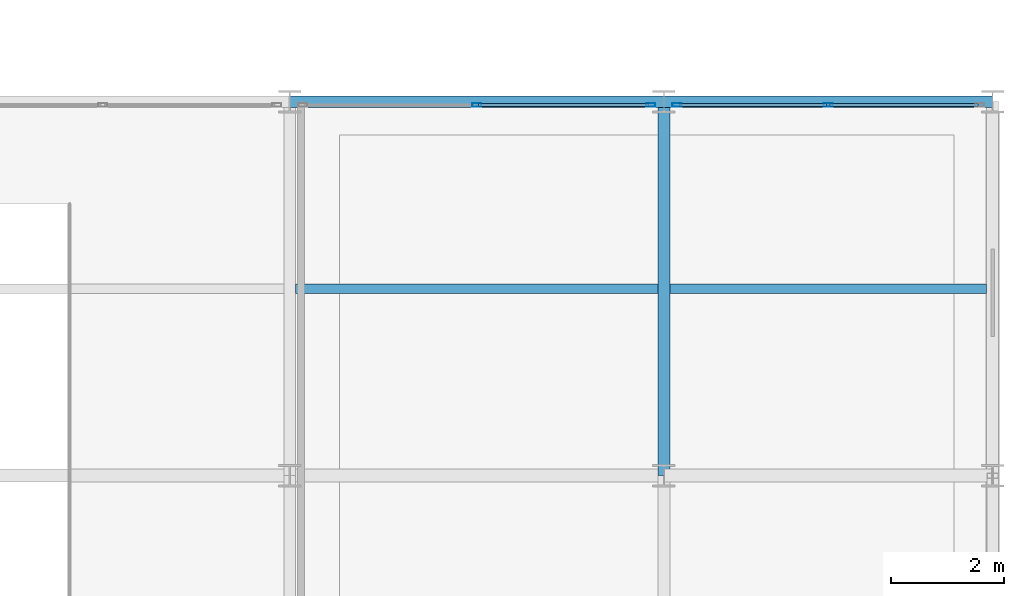
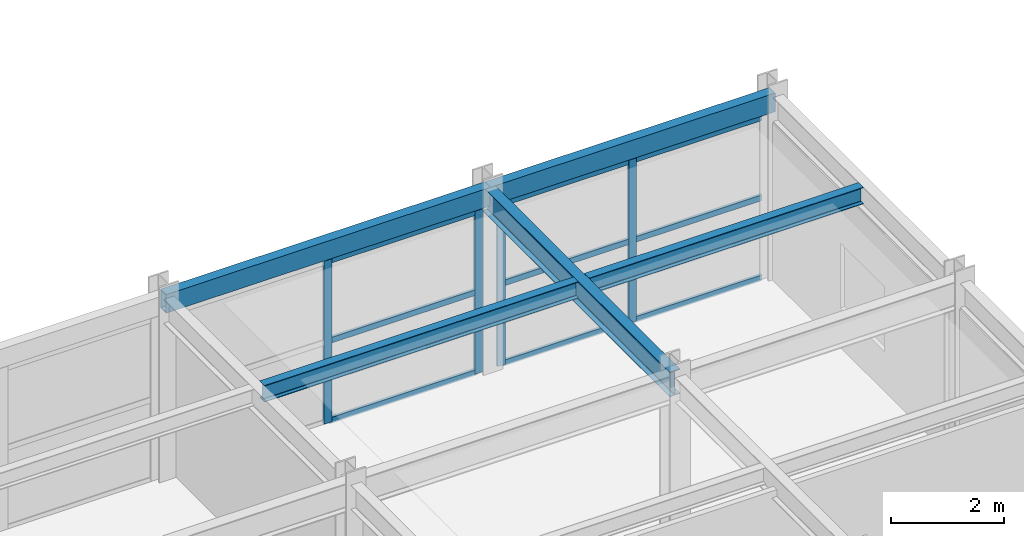
# One storey, part 94 of 147: 13 members, 5 beams, 2 elements without a shape of their own.
"""IFC4 building model written with IfcOpenShell, lengths in metres."""

from ifc_helpers import new_model, si_unit, direction, frame, origin, origin_2d, place, context, subcontext, project, spatial, hollow_rectangle, i_section, extrude, material, material_profile, profile_set, type_object, element, aggregate, save


model = new_model("IFC4")

# Units and contexts
model_context = context("Model", 3, precision=1e-05, world=origin(), true_north=direction((0.0, 1.0)))
body_context = subcontext(model_context, "Body", "Model", "MODEL_VIEW")
ifc_project = project(units=[si_unit("LENGTHUNIT", "METRE"), si_unit("AREAUNIT", "SQUARE_METRE"), si_unit("VOLUMEUNIT", "CUBIC_METRE"), si_unit("PLANEANGLEUNIT", "RADIAN"), si_unit("MASSUNIT", "GRAM", prefix="KILO")], contexts=[model_context])

# Site, building, storey
site_placement = place(None, origin())
site = spatial("IfcSite", under=ifc_project, at=site_placement, CompositionType="ELEMENT")
building_placement = place(site_placement, origin())
building = spatial("IfcBuilding", under=site, at=building_placement, Name="Karori Crest Natural Sciences Institute", CompositionType="ELEMENT")
storey_placement = place(building_placement, frame((0.0, 0.0, 9.10009765625)))
storey = spatial("IfcBuildingStorey", under=building, at=storey_placement, Name="L02", CompositionType="ELEMENT", Elevation=9.10009765625)

# Beams
ifc_material_1 = material(Name="Structural steel AS/NZS 3679.1 Grade 350", Category="steel")
ifc_material_profile_1 = material_profile(ifc_material_1, i_section(OverallWidth=0.208984375, OverallDepth=0.532958984375, WebThickness=0.01025390625, FlangeThickness=0.015625, FilletRadius=0.013916015625, at=origin_2d()), Name="530UB92.4")
ifc_profile_set_1 = profile_set([ifc_material_profile_1], Name="Structural steel AS/NZS 3679.1 Grade 350")
beam_type_1 = type_object("IfcBeamType", Name="BT-05", PredefinedType="BEAM", material=ifc_profile_set_1)
beam_1_placement = place(storey_placement, frame((156.39990234375, 14.0, 3.6533203125), z_axis=(0.0, 1.0, 0.0), x_axis=(-1.0, 0.0, 0.0)))
element("IfcBeam", 1, at=beam_1_placement, inside=storey, type_object=beam_type_1, Name="Beam B-2255", PredefinedType="BEAM", context=body_context, shape_type="SweptSolid", body=[
    extrude(i_section(OverallWidth=0.208984375, OverallDepth=0.532958984375, WebThickness=0.01025390625, FlangeThickness=0.015625, FilletRadius=0.013916015625, at=origin_2d()), origin(), (0.0, 0.0, 1.0), 6.60009765625),
])
ifc_material_profile_2 = material_profile(ifc_material_1, i_section(OverallWidth=0.172119140625, OverallDepth=0.35888671875, WebThickness=0.008056640625, FlangeThickness=0.012939453125, FilletRadius=0.010986328125, at=origin_2d()), Name="360UB56.7")
ifc_profile_set_2 = profile_set([ifc_material_profile_2], Name="Structural steel AS/NZS 3679.1 Grade 350")
beam_type_2 = type_object("IfcBeamType", Name="BT-08", PredefinedType="BEAM", material=ifc_profile_set_2)
beam_2_placement = place(storey_placement, frame((149.904541015625, 17.300048828125, 3.740478515625), z_axis=(1.0, 0.0, 0.0), x_axis=(0.0, 1.0, 0.0)))
element("IfcBeam", 2, at=beam_2_placement, inside=storey, type_object=beam_type_2, Name="Beam B-2278", PredefinedType="BEAM", context=body_context, shape_type="SweptSolid", body=[
    extrude(i_section(OverallWidth=0.172119140625, OverallDepth=0.35888671875, WebThickness=0.008056640625, FlangeThickness=0.012939453125, FilletRadius=0.010986328125, at=origin_2d()), origin(), (0.0, 0.0, 1.0), 6.390869140625),
])
beam_3_placement = place(storey_placement, frame((156.50439453125, 17.300048828125, 3.740478515625), z_axis=(1.0, 0.0, 0.0), x_axis=(0.0, 1.0, 0.0)))
element("IfcBeam", 3, at=beam_3_placement, inside=storey, type_object=beam_type_2, Name="Beam B-2281", PredefinedType="BEAM", context=body_context, shape_type="SweptSolid", body=[
    extrude(i_section(OverallWidth=0.172119140625, OverallDepth=0.35888671875, WebThickness=0.008056640625, FlangeThickness=0.012939453125, FilletRadius=0.010986328125, at=origin_2d()), origin(), (0.0, 0.0, 1.0), 5.591064453125),
])
ifc_material_2 = material(Name="Hollow structural steel AS/NZS 1163 Grade C350", Category="steel")
ifc_material_profile_3 = material_profile(ifc_material_2, hollow_rectangle(XDim=0.199951171875, YDim=0.39990234375, WallThickness=0.012451171875, at=origin_2d()), Name="RHS400x200x12.5")
ifc_profile_set_3 = profile_set([ifc_material_profile_3], Name="Hollow structural steel AS/NZS 1163 Grade C350")
beam_type_3 = type_object("IfcBeamType", Name="BT-14", PredefinedType="SPANDREL", material=ifc_profile_set_3)
beam_4_placement = place(storey_placement, frame((149.800048828125, 20.60009765625, 3.719970703125), z_axis=(1.0, 0.0, 0.0), x_axis=(0.0, 1.0, 0.0)))
element("IfcBeam", 4, at=beam_4_placement, inside=storey, type_object=beam_type_3, Name="Beam B-2227", PredefinedType="SPANDREL", context=body_context, shape_type="SweptSolid", body=[
    extrude(hollow_rectangle(XDim=0.199951171875, YDim=0.39990234375, WallThickness=0.012451171875, at=origin_2d()), origin(), (0.0, 0.0, 1.0), 6.599853515625),
])
beam_5_placement = place(storey_placement, frame((156.39990234375, 20.60009765625, 3.719970703125), z_axis=(1.0, 0.0, 0.0), x_axis=(0.0, 1.0, 0.0)))
element("IfcBeam", 5, at=beam_5_placement, inside=storey, type_object=beam_type_3, Name="Beam B-2228", PredefinedType="SPANDREL", context=body_context, shape_type="SweptSolid", body=[
    extrude(hollow_rectangle(XDim=0.199951171875, YDim=0.39990234375, WallThickness=0.012451171875, at=origin_2d()), origin(), (0.0, 0.0, 1.0), 5.800048828125),
])

# Curtain wall, members
ifc_material_3 = material(Name="Anodised architectural aluminium 6063-T6", Category="aluminium")
curtain_wall_type = type_object("IfcCurtainWallType", Name="CWT-20", PredefinedType="NOTDEFINED", material=ifc_material_3)
curtain_wall_1_placement = place(storey_placement, origin())
curtain_wall_1 = element("IfcCurtainWall", 6, at=curtain_wall_1_placement, inside=storey, type_object=curtain_wall_type, Name="Curtain wall CW-0320", PredefinedType="NOTDEFINED")
ifc_material_profile_4 = material_profile(ifc_material_3, hollow_rectangle(XDim=0.06494140625, YDim=0.159912109375, WallThickness=0.00390625, at=origin_2d()), Name="CWM160x65x4")
ifc_profile_set_4 = profile_set([ifc_material_profile_4], Name="Anodised architectural aluminium 6063-T6")
member_type_1 = type_object("IfcMemberType", Name="CWM-01", PredefinedType="MULLION", material=ifc_profile_set_4)
member_1_placement = place(storey_placement, frame((153.10009765625, 20.5400390625, 0.0), z_axis=(0.0, 0.0, 1.0), x_axis=(0.0, 1.0, 0.0)))
member_1 = element("IfcMember", 7, at=member_1_placement, type_object=member_type_1, Name="CW-0320 mullion 2", PredefinedType="MULLION", context=body_context, shape_type="SweptSolid", body=[
    extrude(hollow_rectangle(XDim=0.06494140625, YDim=0.159912109375, WallThickness=0.00390625, at=origin_2d()), origin(), (0.0, 0.0, 1.0), 3.5048828125),
])
member_2_placement = place(storey_placement, frame((156.16943359375, 20.5400390625, 0.0), z_axis=(0.0, 0.0, 1.0), x_axis=(0.0, 1.0, 0.0)))
member_2 = element("IfcMember", 8, at=member_2_placement, type_object=member_type_1, Name="CW-0320 mullion 3", PredefinedType="MULLION", context=body_context, shape_type="SweptSolid", body=[
    extrude(hollow_rectangle(XDim=0.06494140625, YDim=0.159912109375, WallThickness=0.00390625, at=origin_2d()), origin(), (0.0, 0.0, 1.0), 3.5048828125),
])

curtain_wall_2_placement = place(storey_placement, origin())
curtain_wall_2 = element("IfcCurtainWall", 9, at=curtain_wall_2_placement, inside=storey, type_object=curtain_wall_type, Name="Curtain wall CW-0321", PredefinedType="NOTDEFINED")
member_3_placement = place(storey_placement, frame((156.630615234375, 20.5400390625, 0.0), z_axis=(0.0, 0.0, 1.0), x_axis=(0.0, 1.0, 0.0)))
member_3 = element("IfcMember", 10, at=member_3_placement, type_object=member_type_1, Name="CW-0321 mullion 1", PredefinedType="MULLION", context=body_context, shape_type="SweptSolid", body=[
    extrude(hollow_rectangle(XDim=0.06494140625, YDim=0.159912109375, WallThickness=0.00390625, at=origin_2d()), origin(), (0.0, 0.0, 1.0), 3.5048828125),
])
member_4_placement = place(storey_placement, frame((159.300048828125, 20.5400390625, 0.0), z_axis=(0.0, 0.0, 1.0), x_axis=(0.0, 1.0, 0.0)))
member_4 = element("IfcMember", 11, at=member_4_placement, type_object=member_type_1, Name="CW-0321 mullion 2", PredefinedType="MULLION", context=body_context, shape_type="SweptSolid", body=[
    extrude(hollow_rectangle(XDim=0.06494140625, YDim=0.159912109375, WallThickness=0.00390625, at=origin_2d()), origin(), (0.0, 0.0, 1.0), 3.5048828125),
])

# Member
ifc_material_profile_5 = material_profile(ifc_material_3, hollow_rectangle(XDim=0.06005859375, YDim=0.1201171875, WallThickness=0.00390625, at=origin_2d()), Name="CWT120x60x4")
ifc_profile_set_5 = profile_set([ifc_material_profile_5], Name="Anodised architectural aluminium 6063-T6")
member_type_2 = type_object("IfcMemberType", Name="CWT-TR1", PredefinedType="USERDEFINED", material=ifc_profile_set_5)
member_5_placement = place(storey_placement, frame((153.132568359375, 20.5400390625, 0.02978515625), z_axis=(1.0, 0.0, 0.0), x_axis=(0.0, 1.0, 0.0)))
member_5 = element("IfcMember", 12, at=member_5_placement, type_object=member_type_2, Name="CW-0320 transom 2.1", ObjectType="TRANSOM", PredefinedType="USERDEFINED", context=body_context, shape_type="SweptSolid", body=[
    extrude(hollow_rectangle(XDim=0.06005859375, YDim=0.1201171875, WallThickness=0.00390625, at=origin_2d()), origin(), (0.0, 0.0, 1.0), 3.00439453125),
])

member_6_placement = place(storey_placement, frame((153.132568359375, 20.5400390625, 1.75244140625), z_axis=(1.0, 0.0, 0.0), x_axis=(0.0, 1.0, 0.0)))
member_6 = element("IfcMember", 13, at=member_6_placement, type_object=member_type_2, Name="CW-0320 transom 2.2", ObjectType="TRANSOM", PredefinedType="USERDEFINED", context=body_context, shape_type="SweptSolid", body=[
    extrude(hollow_rectangle(XDim=0.06005859375, YDim=0.1201171875, WallThickness=0.00390625, at=origin_2d()), origin(), (0.0, 0.0, 1.0), 3.00439453125),
])

member_7_placement = place(storey_placement, frame((153.132568359375, 20.5400390625, 3.474853515625), z_axis=(1.0, 0.0, 0.0), x_axis=(0.0, 1.0, 0.0)))
member_7 = element("IfcMember", 14, at=member_7_placement, type_object=member_type_2, Name="CW-0320 transom 2.3", ObjectType="TRANSOM", PredefinedType="USERDEFINED", context=body_context, shape_type="SweptSolid", body=[
    extrude(hollow_rectangle(XDim=0.06005859375, YDim=0.1201171875, WallThickness=0.00390625, at=origin_2d()), origin(), (0.0, 0.0, 1.0), 3.00439453125),
])

aggregate(curtain_wall_1, [member_1, member_2, member_5, member_6, member_7])

member_8_placement = place(storey_placement, frame((156.6630859375, 20.5400390625, 0.02978515625), z_axis=(1.0, 0.0, 0.0), x_axis=(0.0, 1.0, 0.0)))
member_8 = element("IfcMember", 15, at=member_8_placement, type_object=member_type_2, Name="CW-0321 transom 1.1", ObjectType="TRANSOM", PredefinedType="USERDEFINED", context=body_context, shape_type="SweptSolid", body=[
    extrude(hollow_rectangle(XDim=0.06005859375, YDim=0.1201171875, WallThickness=0.00390625, at=origin_2d()), origin(), (0.0, 0.0, 1.0), 2.6044921875),
])

member_9_placement = place(storey_placement, frame((156.6630859375, 20.5400390625, 1.75244140625), z_axis=(1.0, 0.0, 0.0), x_axis=(0.0, 1.0, 0.0)))
member_9 = element("IfcMember", 16, at=member_9_placement, type_object=member_type_2, Name="CW-0321 transom 1.2", ObjectType="TRANSOM", PredefinedType="USERDEFINED", context=body_context, shape_type="SweptSolid", body=[
    extrude(hollow_rectangle(XDim=0.06005859375, YDim=0.1201171875, WallThickness=0.00390625, at=origin_2d()), origin(), (0.0, 0.0, 1.0), 2.6044921875),
])

member_10_placement = place(storey_placement, frame((156.6630859375, 20.5400390625, 3.474853515625), z_axis=(1.0, 0.0, 0.0), x_axis=(0.0, 1.0, 0.0)))
member_10 = element("IfcMember", 17, at=member_10_placement, type_object=member_type_2, Name="CW-0321 transom 1.3", ObjectType="TRANSOM", PredefinedType="USERDEFINED", context=body_context, shape_type="SweptSolid", body=[
    extrude(hollow_rectangle(XDim=0.06005859375, YDim=0.1201171875, WallThickness=0.00390625, at=origin_2d()), origin(), (0.0, 0.0, 1.0), 2.6044921875),
])

member_11_placement = place(storey_placement, frame((159.33251953125, 20.5400390625, 0.02978515625), z_axis=(1.0, 0.0, 0.0), x_axis=(0.0, 1.0, 0.0)))
member_11 = element("IfcMember", 18, at=member_11_placement, type_object=member_type_2, Name="CW-0321 transom 2.1", ObjectType="TRANSOM", PredefinedType="USERDEFINED", context=body_context, shape_type="SweptSolid", body=[
    extrude(hollow_rectangle(XDim=0.06005859375, YDim=0.1201171875, WallThickness=0.00390625, at=origin_2d()), origin(), (0.0, 0.0, 1.0), 2.6044921875),
])

member_12_placement = place(storey_placement, frame((159.33251953125, 20.5400390625, 1.75244140625), z_axis=(1.0, 0.0, 0.0), x_axis=(0.0, 1.0, 0.0)))
member_12 = element("IfcMember", 19, at=member_12_placement, type_object=member_type_2, Name="CW-0321 transom 2.2", ObjectType="TRANSOM", PredefinedType="USERDEFINED", context=body_context, shape_type="SweptSolid", body=[
    extrude(hollow_rectangle(XDim=0.06005859375, YDim=0.1201171875, WallThickness=0.00390625, at=origin_2d()), origin(), (0.0, 0.0, 1.0), 2.6044921875),
])

member_13_placement = place(storey_placement, frame((159.33251953125, 20.5400390625, 3.474853515625), z_axis=(1.0, 0.0, 0.0), x_axis=(0.0, 1.0, 0.0)))
member_13 = element("IfcMember", 20, at=member_13_placement, type_object=member_type_2, Name="CW-0321 transom 2.3", ObjectType="TRANSOM", PredefinedType="USERDEFINED", context=body_context, shape_type="SweptSolid", body=[
    extrude(hollow_rectangle(XDim=0.06005859375, YDim=0.1201171875, WallThickness=0.00390625, at=origin_2d()), origin(), (0.0, 0.0, 1.0), 2.6044921875),
])

aggregate(curtain_wall_2, [member_3, member_4, member_8, member_9, member_10, member_11, member_12, member_13])

save(model, "model.ifc")
